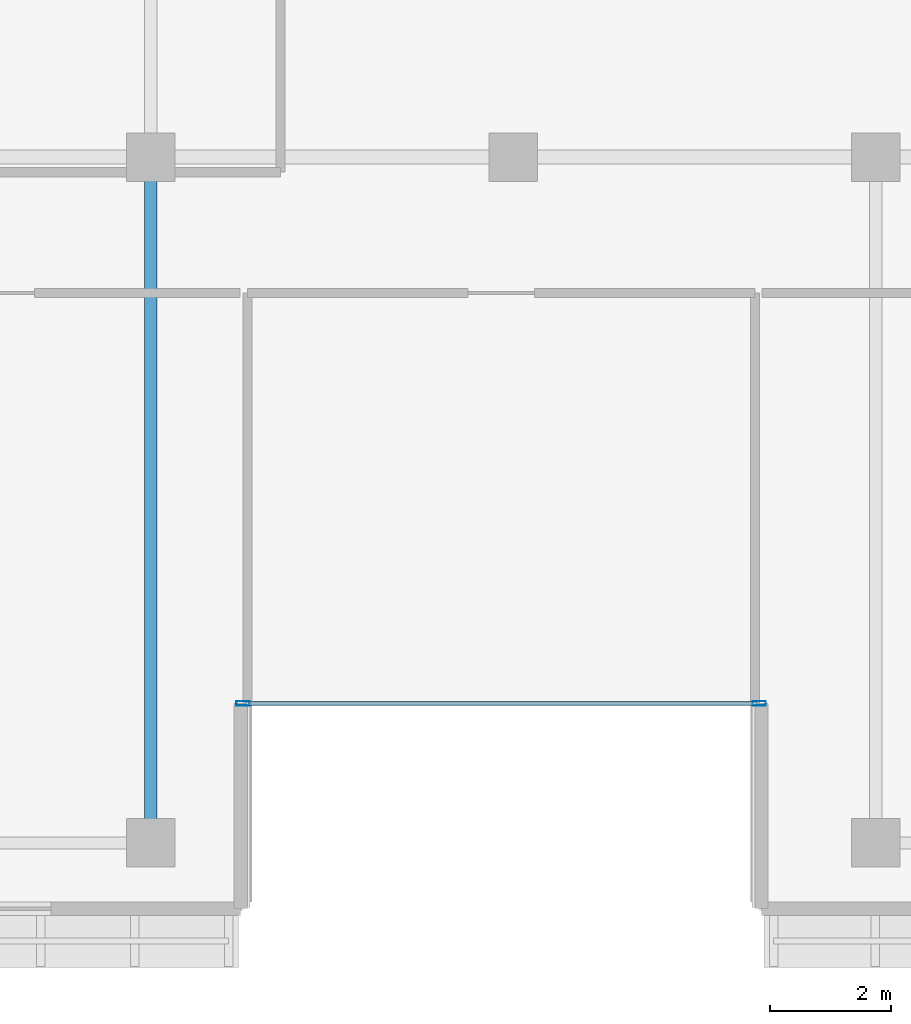
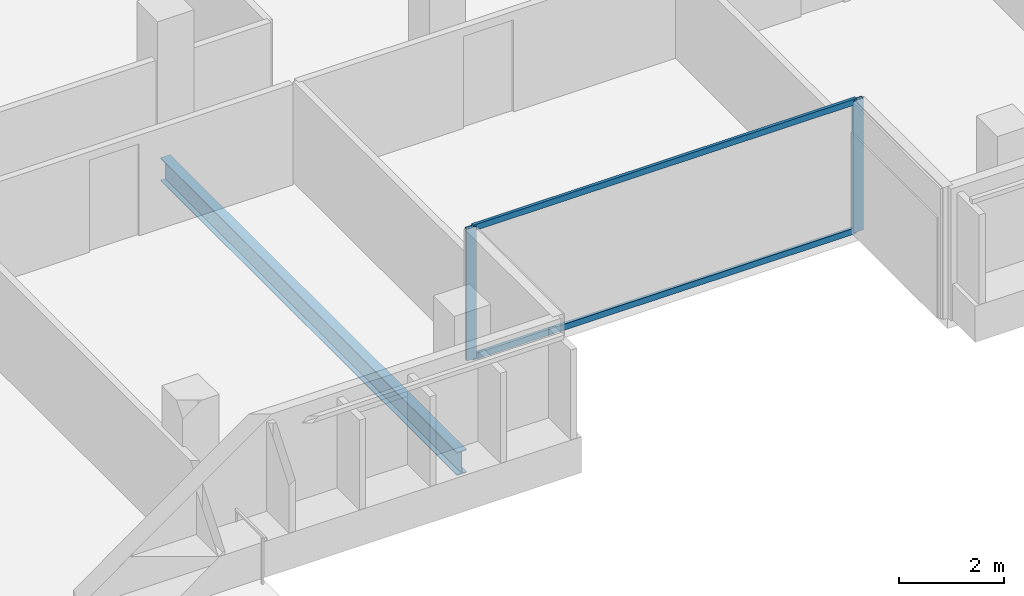
# One storey, part 2 of 16: 4 members, 1 beam, 1 element without a shape of its own.
"""IFC4 building model written with IfcOpenShell, lengths in metres."""

from ifc_helpers import new_model, si_unit, direction, frame, origin, origin_2d, place, context, subcontext, project, spatial, hollow_rectangle, i_section, extrude, material, layer, layer_set, material_profile, profile_set, type_object, element, aggregate, save


model = new_model("IFC4")

# Units and contexts
model_context = context("Model", 3, precision=1e-05, world=origin(), true_north=direction((0.0, 1.0)))
body_context = subcontext(model_context, "Body", "Model", "MODEL_VIEW")
ifc_project = project(units=[si_unit("LENGTHUNIT", "METRE"), si_unit("AREAUNIT", "SQUARE_METRE"), si_unit("VOLUMEUNIT", "CUBIC_METRE"), si_unit("PLANEANGLEUNIT", "RADIAN"), si_unit("MASSUNIT", "GRAM", prefix="KILO")], contexts=[model_context])

# Site, building, storey
site_placement = place(None, origin())
site = spatial("IfcSite", under=ifc_project, at=site_placement, CompositionType="ELEMENT")
building_placement = place(site_placement, origin())
building = spatial("IfcBuilding", under=site, at=building_placement, Name="Tanjung Sevakor Pilgrim Tower", CompositionType="ELEMENT")
storey_placement = place(building_placement, frame((0.0, 0.0, 191.72998046875)))
storey = spatial("IfcBuildingStorey", under=building, at=storey_placement, Name="L53", CompositionType="ELEMENT", Elevation=191.72998046875)

# Beam
ifc_material_1 = material(Name="Steel S355J2", Category="steel")
ifc_material_profile_1 = material_profile(ifc_material_1, i_section(OverallWidth=0.2119140625, OverallDepth=0.54443359375, WebThickness=0.0126953125, FlangeThickness=0.021240234375, FilletRadius=0.0126953125, at=origin_2d()))
ifc_profile_set_1 = profile_set([ifc_material_profile_1], Name="Steel S355J2")
beam_type = type_object("IfcBeamType", Name="BM-B-G5-UB_533x210x122", PredefinedType="BEAM", material=ifc_profile_set_1)
beam_placement = place(storey_placement, frame((42.0, 13.25, -0.4921875), z_axis=(0.0, 1.0, 0.0), x_axis=(-1.0, 0.0, 0.0)))
element("IfcBeam", 1, at=beam_placement, inside=storey, type_object=beam_type, Name="L53 MAIN Girder 003", PredefinedType="BEAM", context=body_context, shape_type="SweptSolid", body=[
    extrude(i_section(OverallWidth=0.2119140625, OverallDepth=0.54443359375, WebThickness=0.0126953125, FlangeThickness=0.021240234375, FilletRadius=0.0126953125, at=origin_2d()), origin(), (0.0, 0.0, 1.0), 11.35009765625),
])

# Curtain wall, members
ifc_material_2 = material(Name="Aluminium 6063-T6 and Low-E Glass", Category="aluminium")
ifc_layer = layer(ifc_material_2, 0.179931640625)
ifc_layer_set = layer_set([ifc_layer], Name="CW-SYS-CLEFT")
curtain_wall_type = type_object("IfcCurtainWallType", Name="CW-SYS-CLEFT", PredefinedType="NOTDEFINED", material=ifc_layer_set)
curtain_wall_placement = place(storey_placement, origin())
curtain_wall = element("IfcCurtainWall", 2, at=curtain_wall_placement, inside=storey, type_object=curtain_wall_type, Name="L53 Curtain Wall CW-CLF-L53-2", PredefinedType="NOTDEFINED")
ifc_material_3 = material(Name="Aluminium 6063-T6", Category="aluminium")
ifc_material_profile_2 = material_profile(ifc_material_3, hollow_rectangle(XDim=0.074951171875, YDim=0.219970703125, WallThickness=0.0048828125, at=origin_2d()))
ifc_profile_set_2 = profile_set([ifc_material_profile_2], Name="Aluminium 6063-T6")
member_type_1 = type_object("IfcMemberType", Name="TYPE-CWM-2", PredefinedType="MULLION", material=ifc_profile_set_2)
member_1_placement = place(storey_placement, frame((43.527587890625, 15.56005859375, 0.0), z_axis=(0.0, 0.0, 1.0), x_axis=(0.0, 1.0, 0.0)))
member_1 = element("IfcMember", 3, at=member_1_placement, type_object=member_type_1, Name="CW-CLF mullion 1", PredefinedType="MULLION", context=body_context, shape_type="SweptSolid", body=[
    extrude(hollow_rectangle(XDim=0.074951171875, YDim=0.219970703125, WallThickness=0.0048828125, at=origin_2d()), origin(), (0.0, 0.0, 1.0), 3.080078125),
])
member_2_placement = place(storey_placement, frame((52.072509765625, 15.56005859375, 0.0), z_axis=(0.0, 0.0, 1.0), x_axis=(0.0, 1.0, 0.0)))
member_2 = element("IfcMember", 4, at=member_2_placement, type_object=member_type_1, Name="CW-CLF mullion 2", PredefinedType="MULLION", context=body_context, shape_type="SweptSolid", body=[
    extrude(hollow_rectangle(XDim=0.074951171875, YDim=0.219970703125, WallThickness=0.0048828125, at=origin_2d()), origin(), (0.0, 0.0, 1.0), 3.080078125),
])
ifc_material_4 = material(Name="Aluminium 6063-T6", Category="aluminium")
ifc_material_profile_3 = material_profile(ifc_material_4, hollow_rectangle(XDim=0.06494140625, YDim=0.139892578125, WallThickness=0.00390625, at=origin_2d()))
ifc_profile_set_3 = profile_set([ifc_material_profile_3], Name="Aluminium 6063-T6")
member_type_2 = type_object("IfcMemberType", Name="TYPE-CWT-1", PredefinedType="USERDEFINED", material=ifc_profile_set_3)
member_3_placement = place(storey_placement, frame((43.56494140625, 15.56005859375, 0.032470703125), z_axis=(1.0, 0.0, 0.0), x_axis=(0.0, 1.0, 0.0)))
member_3 = element("IfcMember", 5, at=member_3_placement, type_object=member_type_2, Name="CW-CLF transom 1.1", ObjectType="TRANSOM", PredefinedType="USERDEFINED", context=body_context, shape_type="SweptSolid", body=[
    extrude(hollow_rectangle(XDim=0.06494140625, YDim=0.139892578125, WallThickness=0.00390625, at=origin_2d()), origin(), (0.0, 0.0, 1.0), 8.469970703125),
])
member_4_placement = place(storey_placement, frame((43.56494140625, 15.56005859375, 3.047607421875), z_axis=(1.0, 0.0, 0.0), x_axis=(0.0, 1.0, 0.0)))
member_4 = element("IfcMember", 6, at=member_4_placement, type_object=member_type_2, Name="CW-CLF transom 1.2", ObjectType="TRANSOM", PredefinedType="USERDEFINED", context=body_context, shape_type="SweptSolid", body=[
    extrude(hollow_rectangle(XDim=0.06494140625, YDim=0.139892578125, WallThickness=0.00390625, at=origin_2d()), origin(), (0.0, 0.0, 1.0), 8.469970703125),
])
aggregate(curtain_wall, [member_1, member_2, member_3, member_4])

save(model, "model.ifc")
